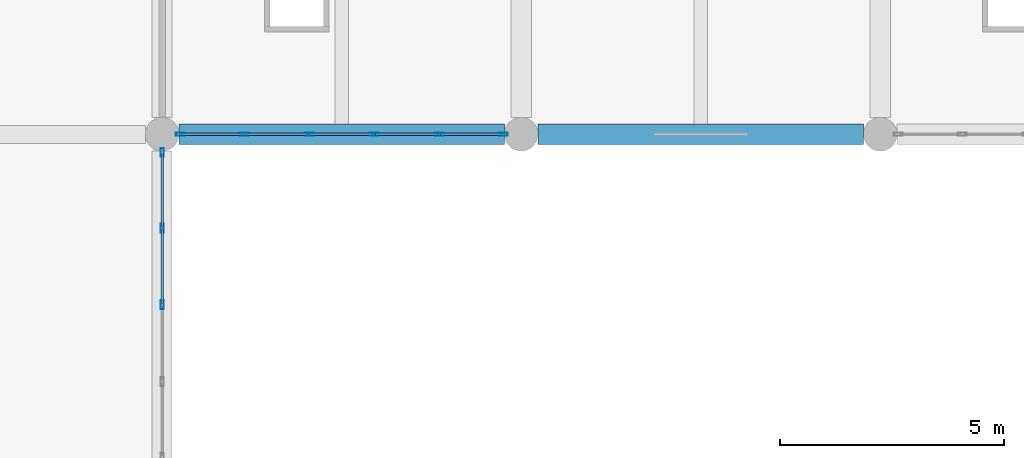
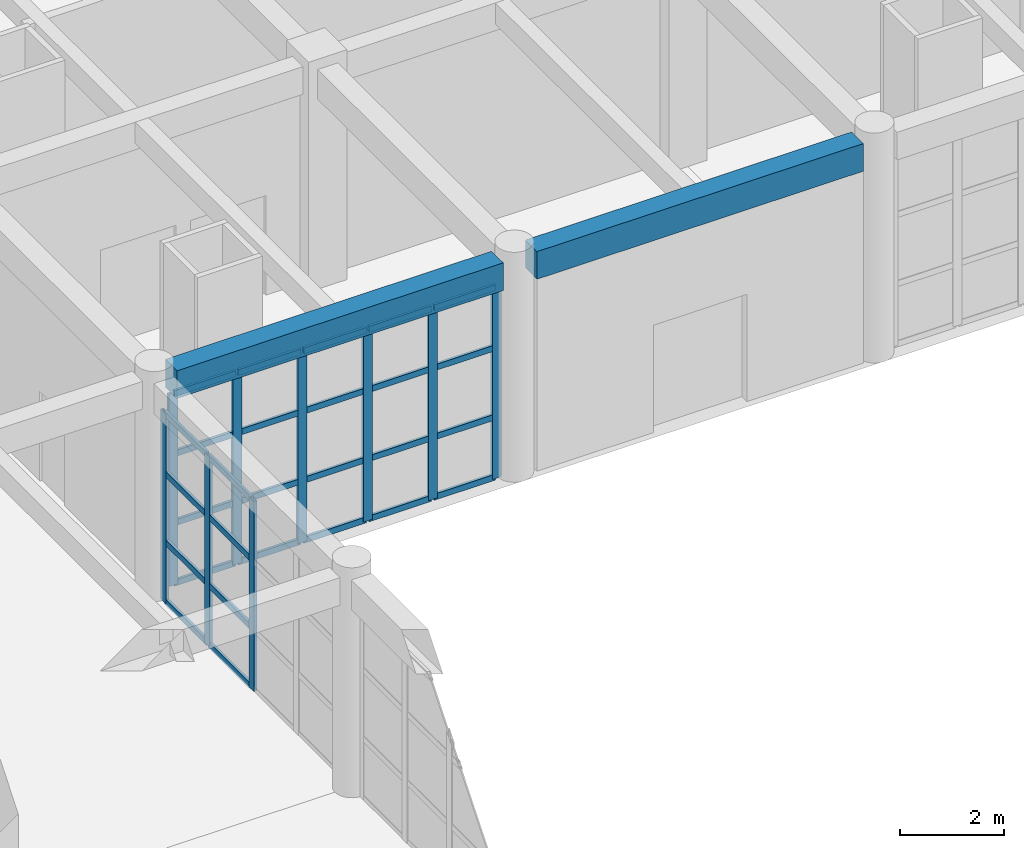
# One storey, part 38 of 95: 37 members, 2 beams, 2 elements without a shape of their own.
"""IFC4 building model written with IfcOpenShell, lengths in metres."""

from ifc_helpers import new_model, si_unit, direction, frame, origin, origin_2d, place, context, subcontext, project, spatial, rectangle, hollow_rectangle, extrude, material, material_profile, profile_set, type_object, element, aggregate, save


model = new_model("IFC4")

# Units and contexts
model_context = context("Model", 3, precision=1e-05, world=origin(), true_north=direction((0.0, 1.0)))
body_context = subcontext(model_context, "Body", "Model", "MODEL_VIEW")
ifc_project = project(units=[si_unit("LENGTHUNIT", "METRE"), si_unit("AREAUNIT", "SQUARE_METRE"), si_unit("VOLUMEUNIT", "CUBIC_METRE"), si_unit("PLANEANGLEUNIT", "RADIAN"), si_unit("MASSUNIT", "GRAM", prefix="KILO")], contexts=[model_context])

# Site, building, storey
site_placement = place(None, origin())
site = spatial("IfcSite", under=ifc_project, at=site_placement, CompositionType="ELEMENT")
building_placement = place(site_placement, origin())
building = spatial("IfcBuilding", under=site, at=building_placement, Name="Zantavel Square City Hall", CompositionType="ELEMENT")
storey_placement = place(building_placement, origin())
storey = spatial("IfcBuildingStorey", under=building, at=storey_placement, Name="L01", CompositionType="ELEMENT", Elevation=0.0)

# Curtain wall, members
ifc_material_1 = material(Name="Anodised aluminium 6063-T6", Category="aluminium")
curtain_wall_type_1 = type_object("IfcCurtainWallType", Name="Curtain Wall CRT 7250x4510", PredefinedType="USERDEFINED", material=ifc_material_1)
curtain_wall_1_placement = place(storey_placement, origin())
curtain_wall_1 = element("IfcCurtainWall", 1, at=curtain_wall_1_placement, inside=storey, type_object=curtain_wall_type_1, Name="L01 Glazed Curtain Wall CW-L01-005", ObjectType="GLAZED CURTAIN WALL", PredefinedType="USERDEFINED")
ifc_material_profile_1 = material_profile(ifc_material_1, hollow_rectangle(XDim=0.070068359375, YDim=0.199951171875, WallThickness=0.00439453125, at=origin_2d()), Name="ALU 70x200x4.5")
ifc_profile_set_1 = profile_set([ifc_material_profile_1], Name="Anodised aluminium 6063-T6")
member_type_1 = type_object("IfcMemberType", Name="CW Heavy Hall Mullion ALU 70x200x4.5", PredefinedType="MULLION", material=ifc_profile_set_1)
member_1_placement = place(storey_placement, frame((23.594970703125, 68.39990234375, 0.0), z_axis=(0.0, 0.0, 1.0), x_axis=(0.0, -1.0, 0.0)))
member_1 = element("IfcMember", 2, at=member_1_placement, type_object=member_type_1, Name="CW-005 mullion 1", PredefinedType="MULLION", context=body_context, shape_type="SweptSolid", body=[
    extrude(hollow_rectangle(XDim=0.070068359375, YDim=0.199951171875, WallThickness=0.00439453125, at=origin_2d()), origin(), (0.0, 0.0, 1.0), 4.510009765625),
])
member_2_placement = place(storey_placement, frame((22.175048828125, 68.39990234375, 0.0), z_axis=(0.0, 0.0, 1.0), x_axis=(0.0, -1.0, 0.0)))
member_2 = element("IfcMember", 3, at=member_2_placement, type_object=member_type_1, Name="CW-005 mullion 2", PredefinedType="MULLION", context=body_context, shape_type="SweptSolid", body=[
    extrude(hollow_rectangle(XDim=0.070068359375, YDim=0.199951171875, WallThickness=0.00439453125, at=origin_2d()), origin(), (0.0, 0.0, 1.0), 4.510009765625),
])
member_3_placement = place(storey_placement, frame((20.72509765625, 68.39990234375, 0.0), z_axis=(0.0, 0.0, 1.0), x_axis=(0.0, -1.0, 0.0)))
member_3 = element("IfcMember", 4, at=member_3_placement, type_object=member_type_1, Name="CW-005 mullion 3", PredefinedType="MULLION", context=body_context, shape_type="SweptSolid", body=[
    extrude(hollow_rectangle(XDim=0.070068359375, YDim=0.199951171875, WallThickness=0.00439453125, at=origin_2d()), origin(), (0.0, 0.0, 1.0), 4.510009765625),
])
member_4_placement = place(storey_placement, frame((19.27490234375, 68.39990234375, 0.0), z_axis=(0.0, 0.0, 1.0), x_axis=(0.0, -1.0, 0.0)))
member_4 = element("IfcMember", 5, at=member_4_placement, type_object=member_type_1, Name="CW-005 mullion 4", PredefinedType="MULLION", context=body_context, shape_type="SweptSolid", body=[
    extrude(hollow_rectangle(XDim=0.070068359375, YDim=0.199951171875, WallThickness=0.00439453125, at=origin_2d()), origin(), (0.0, 0.0, 1.0), 4.510009765625),
])
member_5_placement = place(storey_placement, frame((17.824951171875, 68.39990234375, 0.0), z_axis=(0.0, 0.0, 1.0), x_axis=(0.0, -1.0, 0.0)))
member_5 = element("IfcMember", 6, at=member_5_placement, type_object=member_type_1, Name="CW-005 mullion 5", PredefinedType="MULLION", context=body_context, shape_type="SweptSolid", body=[
    extrude(hollow_rectangle(XDim=0.070068359375, YDim=0.199951171875, WallThickness=0.00439453125, at=origin_2d()), origin(), (0.0, 0.0, 1.0), 4.510009765625),
])
member_6_placement = place(storey_placement, frame((16.405029296875, 68.39990234375, 0.0), z_axis=(0.0, 0.0, 1.0), x_axis=(0.0, -1.0, 0.0)))
member_6 = element("IfcMember", 7, at=member_6_placement, type_object=member_type_1, Name="CW-005 mullion 6", PredefinedType="MULLION", context=body_context, shape_type="SweptSolid", body=[
    extrude(hollow_rectangle(XDim=0.070068359375, YDim=0.199951171875, WallThickness=0.00439453125, at=origin_2d()), origin(), (0.0, 0.0, 1.0), 4.510009765625),
])

curtain_wall_type_2 = type_object("IfcCurtainWallType", Name="Curtain Wall CRT 6850x4460", PredefinedType="USERDEFINED", material=ifc_material_1)
curtain_wall_2_placement = place(storey_placement, origin())
curtain_wall_2 = element("IfcCurtainWall", 8, at=curtain_wall_2_placement, inside=storey, type_object=curtain_wall_type_2, Name="L01 Glazed Curtain Wall CW-L01-006", ObjectType="GLAZED CURTAIN WALL", PredefinedType="USERDEFINED")
member_7_placement = place(storey_placement, frame((16.0, 67.9951171875, 0.0), z_axis=(0.0, 0.0, 1.0), x_axis=(1.0, 0.0, 0.0)))
member_7 = element("IfcMember", 9, at=member_7_placement, type_object=member_type_1, Name="CW-006 mullion 1", PredefinedType="MULLION", context=body_context, shape_type="SweptSolid", body=[
    extrude(hollow_rectangle(XDim=0.070068359375, YDim=0.199951171875, WallThickness=0.00439453125, at=origin_2d()), origin(), (0.0, 0.0, 1.0), 4.4599609375),
])
member_8_placement = place(storey_placement, frame((16.0, 66.3125, 0.0), z_axis=(0.0, 0.0, 1.0), x_axis=(1.0, 0.0, 0.0)))
member_8 = element("IfcMember", 10, at=member_8_placement, type_object=member_type_1, Name="CW-006 mullion 2", PredefinedType="MULLION", context=body_context, shape_type="SweptSolid", body=[
    extrude(hollow_rectangle(XDim=0.070068359375, YDim=0.199951171875, WallThickness=0.00439453125, at=origin_2d()), origin(), (0.0, 0.0, 1.0), 4.4599609375),
])
member_9_placement = place(storey_placement, frame((16.0, 64.60009765625, 0.0), z_axis=(0.0, 0.0, 1.0), x_axis=(1.0, 0.0, 0.0)))
member_9 = element("IfcMember", 11, at=member_9_placement, type_object=member_type_1, Name="CW-006 mullion 3", PredefinedType="MULLION", context=body_context, shape_type="SweptSolid", body=[
    extrude(hollow_rectangle(XDim=0.070068359375, YDim=0.199951171875, WallThickness=0.00439453125, at=origin_2d()), origin(), (0.0, 0.0, 1.0), 4.4599609375),
])

# Member
ifc_material_profile_2 = material_profile(ifc_material_1, hollow_rectangle(XDim=0.06005859375, YDim=0.139892578125, WallThickness=0.00390625, at=origin_2d()), Name="ALU 60x140x4")
ifc_profile_set_2 = profile_set([ifc_material_profile_2], Name="Anodised aluminium 6063-T6")
member_type_2 = type_object("IfcMemberType", Name="CW Transom ALU 60x140x4", PredefinedType="USERDEFINED", material=ifc_profile_set_2)
member_10_placement = place(storey_placement, frame((23.56494140625, 68.39990234375, 0.030029296875), z_axis=(-1.0, 0.0, 0.0), x_axis=(0.0, -1.0, 0.0)))
member_10 = element("IfcMember", 12, at=member_10_placement, type_object=member_type_2, Name="CW-005 transom 1.1", ObjectType="TRANSOM", PredefinedType="USERDEFINED", context=body_context, shape_type="SweptSolid", body=[
    extrude(hollow_rectangle(XDim=0.06005859375, YDim=0.139892578125, WallThickness=0.00390625, at=origin_2d()), origin(), (0.0, 0.0, 1.0), 1.35986328125),
])

member_11_placement = place(storey_placement, frame((23.56494140625, 68.39990234375, 1.443115234375), z_axis=(-1.0, 0.0, 0.0), x_axis=(0.0, -1.0, 0.0)))
member_11 = element("IfcMember", 13, at=member_11_placement, type_object=member_type_2, Name="CW-005 transom 1.2", ObjectType="TRANSOM", PredefinedType="USERDEFINED", context=body_context, shape_type="SweptSolid", body=[
    extrude(hollow_rectangle(XDim=0.06005859375, YDim=0.139892578125, WallThickness=0.00390625, at=origin_2d()), origin(), (0.0, 0.0, 1.0), 1.35986328125),
])

member_12_placement = place(storey_placement, frame((23.56494140625, 68.39990234375, 3.06689453125), z_axis=(-1.0, 0.0, 0.0), x_axis=(0.0, -1.0, 0.0)))
member_12 = element("IfcMember", 14, at=member_12_placement, type_object=member_type_2, Name="CW-005 transom 1.3", ObjectType="TRANSOM", PredefinedType="USERDEFINED", context=body_context, shape_type="SweptSolid", body=[
    extrude(hollow_rectangle(XDim=0.06005859375, YDim=0.139892578125, WallThickness=0.00390625, at=origin_2d()), origin(), (0.0, 0.0, 1.0), 1.35986328125),
])

member_13_placement = place(storey_placement, frame((23.56494140625, 68.39990234375, 4.47998046875), z_axis=(-1.0, 0.0, 0.0), x_axis=(0.0, -1.0, 0.0)))
member_13 = element("IfcMember", 15, at=member_13_placement, type_object=member_type_2, Name="CW-005 transom 1.4", ObjectType="TRANSOM", PredefinedType="USERDEFINED", context=body_context, shape_type="SweptSolid", body=[
    extrude(hollow_rectangle(XDim=0.06005859375, YDim=0.139892578125, WallThickness=0.00390625, at=origin_2d()), origin(), (0.0, 0.0, 1.0), 1.35986328125),
])

member_14_placement = place(storey_placement, frame((22.14501953125, 68.39990234375, 0.030029296875), z_axis=(-1.0, 0.0, 0.0), x_axis=(0.0, -1.0, 0.0)))
member_14 = element("IfcMember", 16, at=member_14_placement, type_object=member_type_2, Name="CW-005 transom 2.1", ObjectType="TRANSOM", PredefinedType="USERDEFINED", context=body_context, shape_type="SweptSolid", body=[
    extrude(hollow_rectangle(XDim=0.06005859375, YDim=0.139892578125, WallThickness=0.00390625, at=origin_2d()), origin(), (0.0, 0.0, 1.0), 1.39013671875),
])

member_15_placement = place(storey_placement, frame((22.14501953125, 68.39990234375, 1.443115234375), z_axis=(-1.0, 0.0, 0.0), x_axis=(0.0, -1.0, 0.0)))
member_15 = element("IfcMember", 17, at=member_15_placement, type_object=member_type_2, Name="CW-005 transom 2.2", ObjectType="TRANSOM", PredefinedType="USERDEFINED", context=body_context, shape_type="SweptSolid", body=[
    extrude(hollow_rectangle(XDim=0.06005859375, YDim=0.139892578125, WallThickness=0.00390625, at=origin_2d()), origin(), (0.0, 0.0, 1.0), 1.39013671875),
])

member_16_placement = place(storey_placement, frame((22.14501953125, 68.39990234375, 3.06689453125), z_axis=(-1.0, 0.0, 0.0), x_axis=(0.0, -1.0, 0.0)))
member_16 = element("IfcMember", 18, at=member_16_placement, type_object=member_type_2, Name="CW-005 transom 2.3", ObjectType="TRANSOM", PredefinedType="USERDEFINED", context=body_context, shape_type="SweptSolid", body=[
    extrude(hollow_rectangle(XDim=0.06005859375, YDim=0.139892578125, WallThickness=0.00390625, at=origin_2d()), origin(), (0.0, 0.0, 1.0), 1.39013671875),
])

member_17_placement = place(storey_placement, frame((22.14501953125, 68.39990234375, 4.47998046875), z_axis=(-1.0, 0.0, 0.0), x_axis=(0.0, -1.0, 0.0)))
member_17 = element("IfcMember", 19, at=member_17_placement, type_object=member_type_2, Name="CW-005 transom 2.4", ObjectType="TRANSOM", PredefinedType="USERDEFINED", context=body_context, shape_type="SweptSolid", body=[
    extrude(hollow_rectangle(XDim=0.06005859375, YDim=0.139892578125, WallThickness=0.00390625, at=origin_2d()), origin(), (0.0, 0.0, 1.0), 1.39013671875),
])

member_18_placement = place(storey_placement, frame((20.695068359375, 68.39990234375, 0.030029296875), z_axis=(-1.0, 0.0, 0.0), x_axis=(0.0, -1.0, 0.0)))
member_18 = element("IfcMember", 20, at=member_18_placement, type_object=member_type_2, Name="CW-005 transom 3.1", ObjectType="TRANSOM", PredefinedType="USERDEFINED", context=body_context, shape_type="SweptSolid", body=[
    extrude(hollow_rectangle(XDim=0.06005859375, YDim=0.139892578125, WallThickness=0.00390625, at=origin_2d()), origin(), (0.0, 0.0, 1.0), 1.39013671875),
])

member_19_placement = place(storey_placement, frame((20.695068359375, 68.39990234375, 1.443115234375), z_axis=(-1.0, 0.0, 0.0), x_axis=(0.0, -1.0, 0.0)))
member_19 = element("IfcMember", 21, at=member_19_placement, type_object=member_type_2, Name="CW-005 transom 3.2", ObjectType="TRANSOM", PredefinedType="USERDEFINED", context=body_context, shape_type="SweptSolid", body=[
    extrude(hollow_rectangle(XDim=0.06005859375, YDim=0.139892578125, WallThickness=0.00390625, at=origin_2d()), origin(), (0.0, 0.0, 1.0), 1.39013671875),
])

member_20_placement = place(storey_placement, frame((20.695068359375, 68.39990234375, 3.06689453125), z_axis=(-1.0, 0.0, 0.0), x_axis=(0.0, -1.0, 0.0)))
member_20 = element("IfcMember", 22, at=member_20_placement, type_object=member_type_2, Name="CW-005 transom 3.3", ObjectType="TRANSOM", PredefinedType="USERDEFINED", context=body_context, shape_type="SweptSolid", body=[
    extrude(hollow_rectangle(XDim=0.06005859375, YDim=0.139892578125, WallThickness=0.00390625, at=origin_2d()), origin(), (0.0, 0.0, 1.0), 1.39013671875),
])

member_21_placement = place(storey_placement, frame((20.695068359375, 68.39990234375, 4.47998046875), z_axis=(-1.0, 0.0, 0.0), x_axis=(0.0, -1.0, 0.0)))
member_21 = element("IfcMember", 23, at=member_21_placement, type_object=member_type_2, Name="CW-005 transom 3.4", ObjectType="TRANSOM", PredefinedType="USERDEFINED", context=body_context, shape_type="SweptSolid", body=[
    extrude(hollow_rectangle(XDim=0.06005859375, YDim=0.139892578125, WallThickness=0.00390625, at=origin_2d()), origin(), (0.0, 0.0, 1.0), 1.39013671875),
])

member_22_placement = place(storey_placement, frame((19.2451171875, 68.39990234375, 0.030029296875), z_axis=(-1.0, 0.0, 0.0), x_axis=(0.0, -1.0, 0.0)))
member_22 = element("IfcMember", 24, at=member_22_placement, type_object=member_type_2, Name="CW-005 transom 4.1", ObjectType="TRANSOM", PredefinedType="USERDEFINED", context=body_context, shape_type="SweptSolid", body=[
    extrude(hollow_rectangle(XDim=0.06005859375, YDim=0.139892578125, WallThickness=0.00390625, at=origin_2d()), origin(), (0.0, 0.0, 1.0), 1.39013671875),
])

member_23_placement = place(storey_placement, frame((19.2451171875, 68.39990234375, 1.443115234375), z_axis=(-1.0, 0.0, 0.0), x_axis=(0.0, -1.0, 0.0)))
member_23 = element("IfcMember", 25, at=member_23_placement, type_object=member_type_2, Name="CW-005 transom 4.2", ObjectType="TRANSOM", PredefinedType="USERDEFINED", context=body_context, shape_type="SweptSolid", body=[
    extrude(hollow_rectangle(XDim=0.06005859375, YDim=0.139892578125, WallThickness=0.00390625, at=origin_2d()), origin(), (0.0, 0.0, 1.0), 1.39013671875),
])

member_24_placement = place(storey_placement, frame((19.2451171875, 68.39990234375, 3.06689453125), z_axis=(-1.0, 0.0, 0.0), x_axis=(0.0, -1.0, 0.0)))
member_24 = element("IfcMember", 26, at=member_24_placement, type_object=member_type_2, Name="CW-005 transom 4.3", ObjectType="TRANSOM", PredefinedType="USERDEFINED", context=body_context, shape_type="SweptSolid", body=[
    extrude(hollow_rectangle(XDim=0.06005859375, YDim=0.139892578125, WallThickness=0.00390625, at=origin_2d()), origin(), (0.0, 0.0, 1.0), 1.39013671875),
])

member_25_placement = place(storey_placement, frame((19.2451171875, 68.39990234375, 4.47998046875), z_axis=(-1.0, 0.0, 0.0), x_axis=(0.0, -1.0, 0.0)))
member_25 = element("IfcMember", 27, at=member_25_placement, type_object=member_type_2, Name="CW-005 transom 4.4", ObjectType="TRANSOM", PredefinedType="USERDEFINED", context=body_context, shape_type="SweptSolid", body=[
    extrude(hollow_rectangle(XDim=0.06005859375, YDim=0.139892578125, WallThickness=0.00390625, at=origin_2d()), origin(), (0.0, 0.0, 1.0), 1.39013671875),
])

member_26_placement = place(storey_placement, frame((17.794921875, 68.39990234375, 0.030029296875), z_axis=(-1.0, 0.0, 0.0), x_axis=(0.0, -1.0, 0.0)))
member_26 = element("IfcMember", 28, at=member_26_placement, type_object=member_type_2, Name="CW-005 transom 5.1", ObjectType="TRANSOM", PredefinedType="USERDEFINED", context=body_context, shape_type="SweptSolid", body=[
    extrude(hollow_rectangle(XDim=0.06005859375, YDim=0.139892578125, WallThickness=0.00390625, at=origin_2d()), origin(), (0.0, 0.0, 1.0), 1.35986328125),
])

member_27_placement = place(storey_placement, frame((17.794921875, 68.39990234375, 1.443115234375), z_axis=(-1.0, 0.0, 0.0), x_axis=(0.0, -1.0, 0.0)))
member_27 = element("IfcMember", 29, at=member_27_placement, type_object=member_type_2, Name="CW-005 transom 5.2", ObjectType="TRANSOM", PredefinedType="USERDEFINED", context=body_context, shape_type="SweptSolid", body=[
    extrude(hollow_rectangle(XDim=0.06005859375, YDim=0.139892578125, WallThickness=0.00390625, at=origin_2d()), origin(), (0.0, 0.0, 1.0), 1.35986328125),
])

member_28_placement = place(storey_placement, frame((17.794921875, 68.39990234375, 3.06689453125), z_axis=(-1.0, 0.0, 0.0), x_axis=(0.0, -1.0, 0.0)))
member_28 = element("IfcMember", 30, at=member_28_placement, type_object=member_type_2, Name="CW-005 transom 5.3", ObjectType="TRANSOM", PredefinedType="USERDEFINED", context=body_context, shape_type="SweptSolid", body=[
    extrude(hollow_rectangle(XDim=0.06005859375, YDim=0.139892578125, WallThickness=0.00390625, at=origin_2d()), origin(), (0.0, 0.0, 1.0), 1.35986328125),
])

member_29_placement = place(storey_placement, frame((17.794921875, 68.39990234375, 4.47998046875), z_axis=(-1.0, 0.0, 0.0), x_axis=(0.0, -1.0, 0.0)))
member_29 = element("IfcMember", 31, at=member_29_placement, type_object=member_type_2, Name="CW-005 transom 5.4", ObjectType="TRANSOM", PredefinedType="USERDEFINED", context=body_context, shape_type="SweptSolid", body=[
    extrude(hollow_rectangle(XDim=0.06005859375, YDim=0.139892578125, WallThickness=0.00390625, at=origin_2d()), origin(), (0.0, 0.0, 1.0), 1.35986328125),
])

aggregate(curtain_wall_1, [member_1, member_2, member_3, member_4, member_5, member_6, member_10, member_11, member_12, member_13, member_14, member_15, member_16, member_17, member_18, member_19, member_20, member_21, member_22, member_23, member_24, member_25, member_26, member_27, member_28, member_29])

member_30_placement = place(storey_placement, frame((16.0, 67.965087890625, 0.030029296875), z_axis=(0.0, -1.0, 0.0), x_axis=(1.0, 0.0, 0.0)))
member_30 = element("IfcMember", 32, at=member_30_placement, type_object=member_type_2, Name="CW-006 transom 1.1", ObjectType="TRANSOM", PredefinedType="USERDEFINED", context=body_context, shape_type="SweptSolid", body=[
    extrude(hollow_rectangle(XDim=0.06005859375, YDim=0.139892578125, WallThickness=0.00390625, at=origin_2d()), origin(), (0.0, 0.0, 1.0), 1.62255859375),
])

member_31_placement = place(storey_placement, frame((16.0, 67.965087890625, 1.427001953125), z_axis=(0.0, -1.0, 0.0), x_axis=(1.0, 0.0, 0.0)))
member_31 = element("IfcMember", 33, at=member_31_placement, type_object=member_type_2, Name="CW-006 transom 1.2", ObjectType="TRANSOM", PredefinedType="USERDEFINED", context=body_context, shape_type="SweptSolid", body=[
    extrude(hollow_rectangle(XDim=0.06005859375, YDim=0.139892578125, WallThickness=0.00390625, at=origin_2d()), origin(), (0.0, 0.0, 1.0), 1.62255859375),
])

member_32_placement = place(storey_placement, frame((16.0, 67.965087890625, 3.032958984375), z_axis=(0.0, -1.0, 0.0), x_axis=(1.0, 0.0, 0.0)))
member_32 = element("IfcMember", 34, at=member_32_placement, type_object=member_type_2, Name="CW-006 transom 1.3", ObjectType="TRANSOM", PredefinedType="USERDEFINED", context=body_context, shape_type="SweptSolid", body=[
    extrude(hollow_rectangle(XDim=0.06005859375, YDim=0.139892578125, WallThickness=0.00390625, at=origin_2d()), origin(), (0.0, 0.0, 1.0), 1.62255859375),
])

member_33_placement = place(storey_placement, frame((16.0, 67.965087890625, 4.429931640625), z_axis=(0.0, -1.0, 0.0), x_axis=(1.0, 0.0, 0.0)))
member_33 = element("IfcMember", 35, at=member_33_placement, type_object=member_type_2, Name="CW-006 transom 1.4", ObjectType="TRANSOM", PredefinedType="USERDEFINED", context=body_context, shape_type="SweptSolid", body=[
    extrude(hollow_rectangle(XDim=0.06005859375, YDim=0.139892578125, WallThickness=0.00390625, at=origin_2d()), origin(), (0.0, 0.0, 1.0), 1.62255859375),
])

member_34_placement = place(storey_placement, frame((16.0, 66.282470703125, 0.030029296875), z_axis=(0.0, -1.0, 0.0), x_axis=(1.0, 0.0, 0.0)))
member_34 = element("IfcMember", 36, at=member_34_placement, type_object=member_type_2, Name="CW-006 transom 2.1", ObjectType="TRANSOM", PredefinedType="USERDEFINED", context=body_context, shape_type="SweptSolid", body=[
    extrude(hollow_rectangle(XDim=0.06005859375, YDim=0.139892578125, WallThickness=0.00390625, at=origin_2d()), origin(), (0.0, 0.0, 1.0), 1.652587890625),
])

member_35_placement = place(storey_placement, frame((16.0, 66.282470703125, 1.427001953125), z_axis=(0.0, -1.0, 0.0), x_axis=(1.0, 0.0, 0.0)))
member_35 = element("IfcMember", 37, at=member_35_placement, type_object=member_type_2, Name="CW-006 transom 2.2", ObjectType="TRANSOM", PredefinedType="USERDEFINED", context=body_context, shape_type="SweptSolid", body=[
    extrude(hollow_rectangle(XDim=0.06005859375, YDim=0.139892578125, WallThickness=0.00390625, at=origin_2d()), origin(), (0.0, 0.0, 1.0), 1.652587890625),
])

member_36_placement = place(storey_placement, frame((16.0, 66.282470703125, 3.032958984375), z_axis=(0.0, -1.0, 0.0), x_axis=(1.0, 0.0, 0.0)))
member_36 = element("IfcMember", 38, at=member_36_placement, type_object=member_type_2, Name="CW-006 transom 2.3", ObjectType="TRANSOM", PredefinedType="USERDEFINED", context=body_context, shape_type="SweptSolid", body=[
    extrude(hollow_rectangle(XDim=0.06005859375, YDim=0.139892578125, WallThickness=0.00390625, at=origin_2d()), origin(), (0.0, 0.0, 1.0), 1.652587890625),
])

member_37_placement = place(storey_placement, frame((16.0, 66.282470703125, 4.429931640625), z_axis=(0.0, -1.0, 0.0), x_axis=(1.0, 0.0, 0.0)))
member_37 = element("IfcMember", 39, at=member_37_placement, type_object=member_type_2, Name="CW-006 transom 2.4", ObjectType="TRANSOM", PredefinedType="USERDEFINED", context=body_context, shape_type="SweptSolid", body=[
    extrude(hollow_rectangle(XDim=0.06005859375, YDim=0.139892578125, WallThickness=0.00390625, at=origin_2d()), origin(), (0.0, 0.0, 1.0), 1.652587890625),
])

aggregate(curtain_wall_2, [member_7, member_8, member_9, member_30, member_31, member_32, member_33, member_34, member_35, member_36, member_37])

# Beams
ifc_material_2 = material(Name="Concrete C35/45", Category="concrete")
ifc_material_profile_3 = material_profile(ifc_material_2, rectangle(XDim=0.449951171875, YDim=0.64990234375, at=origin_2d()), Name="RC 450x650")
ifc_profile_set_3 = profile_set([ifc_material_profile_3], Name="Concrete C35/45")
beam_type = type_object("IfcBeamType", Name="Courtyard Cloister Girder RC 450x650 C35/45", PredefinedType="BEAM", material=ifc_profile_set_3)
for number, where, z_axis, x_axis, name in (
    (40, (16.375, 68.39990234375, 4.8349609375), (1.0, 0.0, 0.0), (0.0, 1.0, 0.0), "L01 Girder BMX-L01-0160-0684"),
    (41, (24.375, 68.39990234375, 4.8349609375), (1.0, 0.0, 0.0), (0.0, 1.0, 0.0), "L01 Girder BMX-L01-0240-0684"),
):
    element("IfcBeam", number, at=place(storey_placement, frame(where, z_axis=z_axis, x_axis=x_axis)), inside=storey, type_object=beam_type, Name=name, PredefinedType="BEAM", context=body_context, shape_type="SweptSolid", body=[
        extrude(rectangle(XDim=0.449951171875, YDim=0.64990234375, at=origin_2d()), origin(), (0.0, 0.0, 1.0), 7.25),
    ])

save(model, "model.ifc")
